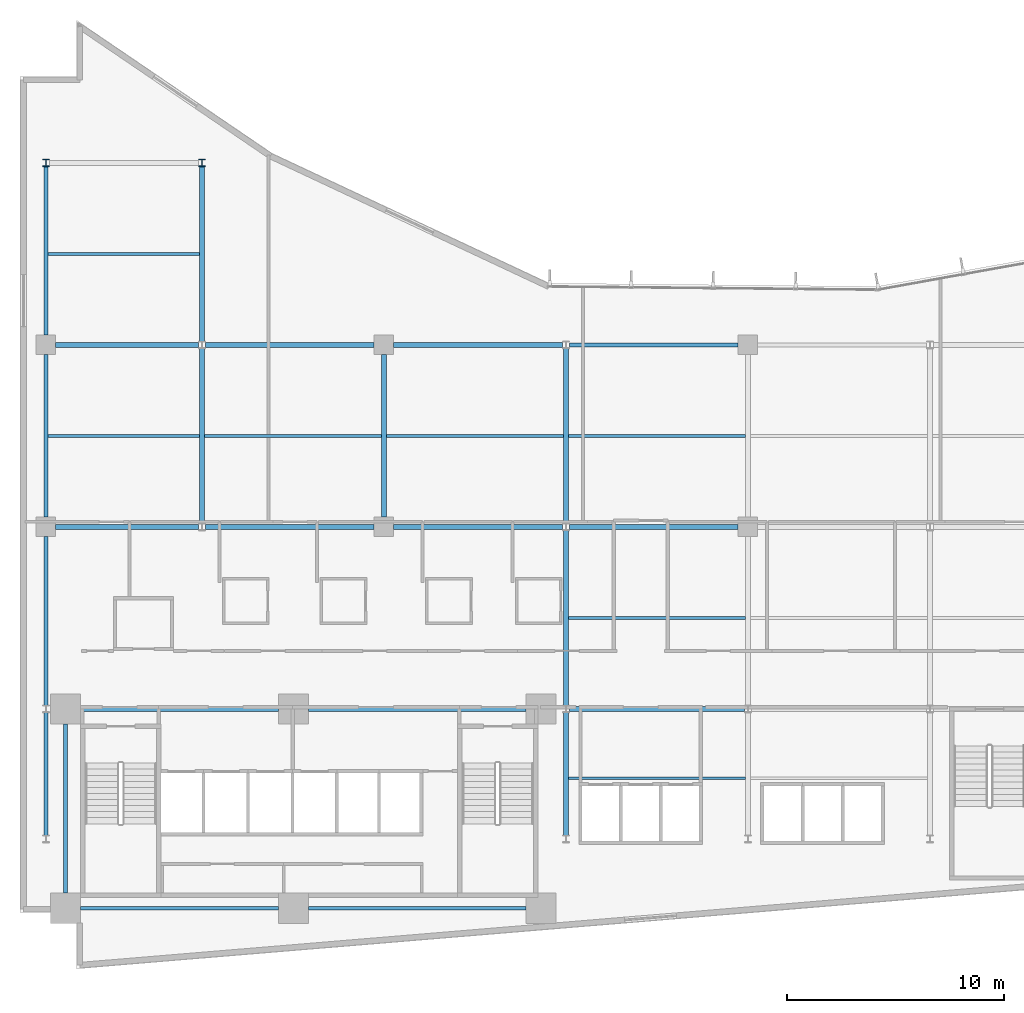
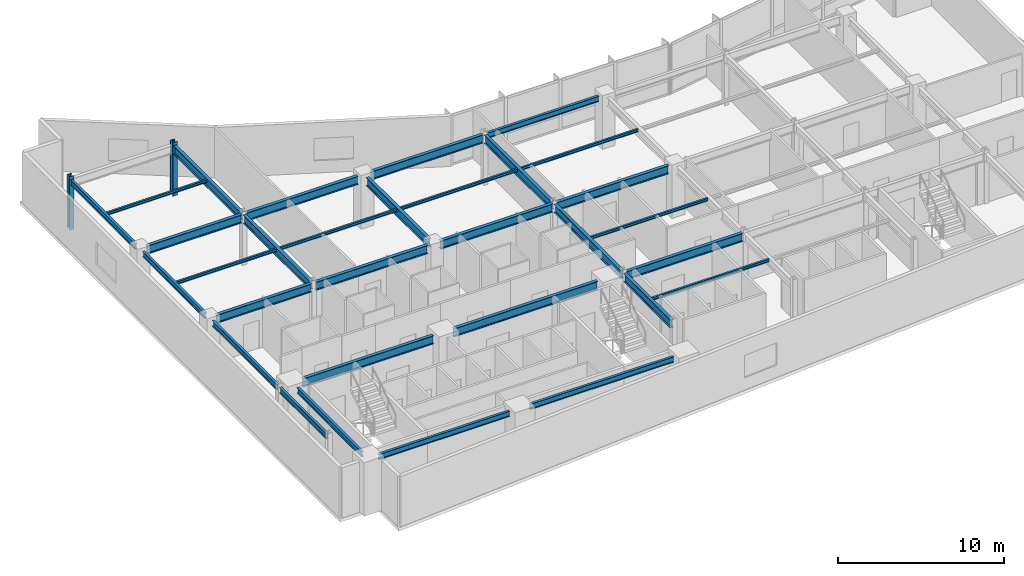
# One storey, part 3 of 18: 31 beams, 2 columns.
"""IFC4 building model written with IfcOpenShell, lengths in metres."""

from ifc_helpers import new_model, si_unit, direction, frame, origin, origin_2d, place, context, subcontext, project, spatial, i_section, extrude, material, material_profile, profile_set, type_object, element, save


model = new_model("IFC4")

# Units and contexts
model_context = context("Model", 3, precision=1e-05, world=origin(), true_north=direction((0.0, 1.0)))
body_context = subcontext(model_context, "Body", "Model", "MODEL_VIEW")
ifc_project = project(units=[si_unit("LENGTHUNIT", "METRE"), si_unit("AREAUNIT", "SQUARE_METRE"), si_unit("VOLUMEUNIT", "CUBIC_METRE"), si_unit("PLANEANGLEUNIT", "RADIAN"), si_unit("MASSUNIT", "GRAM", prefix="KILO")], contexts=[model_context])

# Site, building, storey
site_placement = place(None, origin())
site = spatial("IfcSite", under=ifc_project, at=site_placement, CompositionType="ELEMENT")
building_placement = place(site_placement, origin())
building = spatial("IfcBuilding", under=site, at=building_placement, Name="Varnakote Quay Hospital", CompositionType="ELEMENT")
storey_placement = place(building_placement, frame((0.0, 0.0, 73.85009765625)))
storey = spatial("IfcBuildingStorey", under=building, at=storey_placement, Name="L18", CompositionType="ELEMENT", Elevation=73.85009765625)

# Columns
ifc_material_1 = material(Name="Structural steel AS/NZS 3679.1 Grade 350 L0 (fy 340 MPa)", Category="steel")
ifc_material_profile_1 = material_profile(ifc_material_1, i_section(OverallWidth=0.31103515625, OverallDepth=0.326904296875, WebThickness=0.015625, FlangeThickness=0.02490234375, FilletRadius=0.0166015625, at=origin_2d()), Name="310UC158")
ifc_profile_set_1 = profile_set([ifc_material_profile_1], Name="Structural steel AS/NZS 3679.1 Grade 350 L0 (fy 340 MPa)")
column_type = type_object("IfcColumnType", Name="COL-STL-310UC158", PredefinedType="COLUMN", material=ifc_profile_set_1)
for number, where, z_axis, x_axis, name in (
    (1, (1.199951171875, 37.199951171875, 0.0), (0.0, 0.0, 1.0), (1.0, 0.0, 0.0), "L18 Structural Column C-1-37"),
    (2, (8.39990234375, 37.199951171875, 0.0), (0.0, 0.0, 1.0), (1.0, 0.0, 0.0), "L18 Structural Column C-8-37"),
):
    element("IfcColumn", number, at=place(storey_placement, frame(where, z_axis=z_axis, x_axis=x_axis)), inside=storey, type_object=column_type, Name=name, PredefinedType="COLUMN", context=body_context, shape_type="SweptSolid", body=[
        extrude(i_section(OverallWidth=0.31103515625, OverallDepth=0.326904296875, WebThickness=0.015625, FlangeThickness=0.02490234375, FilletRadius=0.0166015625, at=origin_2d()), origin(), (0.0, 0.0, 1.0), 3.949951171875),
    ])

# Beams
ifc_material_2 = material(Name="Structural steel AS/NZS 3679.1 Grade 350 L0 (fy 340 MPa)", Category="steel")
ifc_material_profile_2 = material_profile(ifc_material_2, i_section(OverallWidth=0.22900390625, OverallDepth=0.612060546875, WebThickness=0.011962890625, FlangeThickness=0.01953125, FilletRadius=0.013916015625, at=origin_2d()), Name="610UB125")
ifc_profile_set_2 = profile_set([ifc_material_profile_2], Name="Structural steel AS/NZS 3679.1 Grade 350 L0 (fy 340 MPa)")
beam_type_1 = type_object("IfcBeamType", Name="BM-STL-610UB125", PredefinedType="BEAM", material=ifc_profile_set_2)
beam_1_placement = place(storey_placement, frame((2.800048828125, 12.0, 3.40380859375), z_axis=(1.0, 0.0, 0.0), x_axis=(0.0, 1.0, 0.0)))
element("IfcBeam", 3, at=beam_1_placement, inside=storey, type_object=beam_type_1, Name="L18 Primary Floor Beam", PredefinedType="BEAM", context=body_context, shape_type="SweptSolid", body=[
    extrude(i_section(OverallWidth=0.22900390625, OverallDepth=0.612060546875, WebThickness=0.011962890625, FlangeThickness=0.01953125, FilletRadius=0.013916015625, at=origin_2d()), origin(), (0.0, 0.0, 1.0), 9.119873046875),
])
beam_2_placement = place(storey_placement, frame((13.320068359375, 12.0, 3.40380859375), z_axis=(1.0, 0.0, 0.0), x_axis=(0.0, 1.0, 0.0)))
element("IfcBeam", 4, at=beam_2_placement, inside=storey, type_object=beam_type_1, Name="L18 Primary Floor Beam", PredefinedType="BEAM", context=body_context, shape_type="SweptSolid", body=[
    extrude(i_section(OverallWidth=0.22900390625, OverallDepth=0.612060546875, WebThickness=0.011962890625, FlangeThickness=0.01953125, FilletRadius=0.013916015625, at=origin_2d()), origin(), (0.0, 0.0, 1.0), 10.030029296875),
])
beam_3_placement = place(storey_placement, frame((25.35546875, 12.0, 3.40380859375), z_axis=(1.0, 0.0, 0.0), x_axis=(0.0, 1.0, 0.0)))
element("IfcBeam", 5, at=beam_3_placement, inside=storey, type_object=beam_type_1, Name="L18 Primary Floor Beam", PredefinedType="BEAM", context=body_context, shape_type="SweptSolid", body=[
    extrude(i_section(OverallWidth=0.22900390625, OverallDepth=0.612060546875, WebThickness=0.011962890625, FlangeThickness=0.01953125, FilletRadius=0.013916015625, at=origin_2d()), origin(), (0.0, 0.0, 1.0), 8.089111328125),
])
beam_4_placement = place(storey_placement, frame((1.64990234375, 20.39990234375, 3.40380859375), z_axis=(1.0, 0.0, 0.0), x_axis=(0.0, 1.0, 0.0)))
element("IfcBeam", 6, at=beam_4_placement, inside=storey, type_object=beam_type_1, Name="L18 Primary Floor Beam", PredefinedType="BEAM", context=body_context, shape_type="SweptSolid", body=[
    extrude(i_section(OverallWidth=0.22900390625, OverallDepth=0.612060546875, WebThickness=0.011962890625, FlangeThickness=0.01953125, FilletRadius=0.013916015625, at=origin_2d()), origin(), (0.0, 0.0, 1.0), 6.594482421875),
])
beam_5_placement = place(storey_placement, frame((8.555419921875, 20.39990234375, 3.40380859375), z_axis=(1.0, 0.0, 0.0), x_axis=(0.0, 1.0, 0.0)))
element("IfcBeam", 7, at=beam_5_placement, inside=storey, type_object=beam_type_1, Name="L18 Primary Floor Beam", PredefinedType="BEAM", context=body_context, shape_type="SweptSolid", body=[
    extrude(i_section(OverallWidth=0.22900390625, OverallDepth=0.612060546875, WebThickness=0.011962890625, FlangeThickness=0.01953125, FilletRadius=0.013916015625, at=origin_2d()), origin(), (0.0, 0.0, 1.0), 7.794677734375),
])
for number, where, z_axis, x_axis, name in (
    (8, (17.25, 20.39990234375, 3.40380859375), (1.0, 0.0, 0.0), (0.0, 1.0, 0.0), "L18 Primary Floor Beam"),
    (9, (25.35546875, 20.39990234375, 3.40380859375), (1.0, 0.0, 0.0), (0.0, 1.0, 0.0), "L18 Primary Floor Beam"),
):
    element("IfcBeam", number, at=place(storey_placement, frame(where, z_axis=z_axis, x_axis=x_axis)), inside=storey, type_object=beam_type_1, Name=name, PredefinedType="BEAM", context=body_context, shape_type="SweptSolid", body=[
        extrude(i_section(OverallWidth=0.22900390625, OverallDepth=0.612060546875, WebThickness=0.011962890625, FlangeThickness=0.01953125, FilletRadius=0.013916015625, at=origin_2d()), origin(), (0.0, 0.0, 1.0), 7.79443359375),
    ])
beam_6_placement = place(storey_placement, frame((1.64990234375, 28.800048828125, 3.40380859375), z_axis=(1.0, 0.0, 0.0), x_axis=(0.0, 1.0, 0.0)))
element("IfcBeam", 10, at=beam_6_placement, inside=storey, type_object=beam_type_1, Name="L18 Primary Floor Beam", PredefinedType="BEAM", context=body_context, shape_type="SweptSolid", body=[
    extrude(i_section(OverallWidth=0.22900390625, OverallDepth=0.612060546875, WebThickness=0.011962890625, FlangeThickness=0.01953125, FilletRadius=0.013916015625, at=origin_2d()), origin(), (0.0, 0.0, 1.0), 6.594482421875),
])
beam_7_placement = place(storey_placement, frame((8.555419921875, 28.800048828125, 3.40380859375), z_axis=(1.0, 0.0, 0.0), x_axis=(0.0, 1.0, 0.0)))
element("IfcBeam", 11, at=beam_7_placement, inside=storey, type_object=beam_type_1, Name="L18 Primary Floor Beam", PredefinedType="BEAM", context=body_context, shape_type="SweptSolid", body=[
    extrude(i_section(OverallWidth=0.22900390625, OverallDepth=0.612060546875, WebThickness=0.011962890625, FlangeThickness=0.01953125, FilletRadius=0.013916015625, at=origin_2d()), origin(), (0.0, 0.0, 1.0), 7.794677734375),
])
beam_8_placement = place(storey_placement, frame((17.25, 28.800048828125, 3.40380859375), z_axis=(1.0, 0.0, 0.0), x_axis=(0.0, 1.0, 0.0)))
element("IfcBeam", 12, at=beam_8_placement, inside=storey, type_object=beam_type_1, Name="L18 Primary Floor Beam", PredefinedType="BEAM", context=body_context, shape_type="SweptSolid", body=[
    extrude(i_section(OverallWidth=0.22900390625, OverallDepth=0.612060546875, WebThickness=0.011962890625, FlangeThickness=0.01953125, FilletRadius=0.013916015625, at=origin_2d()), origin(), (0.0, 0.0, 1.0), 7.79443359375),
])
beam_9_placement = place(storey_placement, frame((8.39990234375, 20.5634765625, 3.40380859375), z_axis=(0.0, 1.0, 0.0), x_axis=(-1.0, 0.0, 0.0)))
element("IfcBeam", 13, at=beam_9_placement, inside=storey, type_object=beam_type_1, Name="L18 Primary Tie Beam", PredefinedType="BEAM", context=body_context, shape_type="SweptSolid", body=[
    extrude(i_section(OverallWidth=0.22900390625, OverallDepth=0.612060546875, WebThickness=0.011962890625, FlangeThickness=0.01953125, FilletRadius=0.013916015625, at=origin_2d()), origin(), (0.0, 0.0, 1.0), 8.072998046875),
])
beam_10_placement = place(storey_placement, frame((8.39990234375, 28.96337890625, 3.40380859375), z_axis=(0.0, 1.0, 0.0), x_axis=(-1.0, 0.0, 0.0)))
element("IfcBeam", 14, at=beam_10_placement, inside=storey, type_object=beam_type_1, Name="L18 Primary Tie Beam", PredefinedType="BEAM", context=body_context, shape_type="SweptSolid", body=[
    extrude(i_section(OverallWidth=0.22900390625, OverallDepth=0.612060546875, WebThickness=0.011962890625, FlangeThickness=0.01953125, FilletRadius=0.013916015625, at=origin_2d()), origin(), (0.0, 0.0, 1.0), 8.0732421875),
])
beam_11_placement = place(storey_placement, frame((16.800048828125, 20.85009765625, 3.40380859375), z_axis=(0.0, 1.0, 0.0), x_axis=(-1.0, 0.0, 0.0)))
element("IfcBeam", 15, at=beam_11_placement, inside=storey, type_object=beam_type_1, Name="L18 Primary Tie Beam", PredefinedType="BEAM", context=body_context, shape_type="SweptSolid", body=[
    extrude(i_section(OverallWidth=0.22900390625, OverallDepth=0.612060546875, WebThickness=0.011962890625, FlangeThickness=0.01953125, FilletRadius=0.013916015625, at=origin_2d()), origin(), (0.0, 0.0, 1.0), 7.5),
])
beam_12_placement = place(storey_placement, frame((25.199951171875, 6.16357421875, 3.40380859375), z_axis=(0.0, 1.0, 0.0), x_axis=(-1.0, 0.0, 0.0)))
element("IfcBeam", 16, at=beam_12_placement, inside=storey, type_object=beam_type_1, Name="L18 Primary Tie Beam", PredefinedType="BEAM", context=body_context, shape_type="SweptSolid", body=[
    extrude(i_section(OverallWidth=0.22900390625, OverallDepth=0.612060546875, WebThickness=0.011962890625, FlangeThickness=0.01953125, FilletRadius=0.013916015625, at=origin_2d()), origin(), (0.0, 0.0, 1.0), 5.6728515625),
])
for number, where, z_axis, x_axis, name in (
    (17, (25.199951171875, 12.16357421875, 3.40380859375), (0.0, 1.0, 0.0), (-1.0, 0.0, 0.0), "L18 Primary Tie Beam"),
    (18, (25.199951171875, 20.5634765625, 3.40380859375), (0.0, 1.0, 0.0), (-1.0, 0.0, 0.0), "L18 Primary Tie Beam"),
):
    element("IfcBeam", number, at=place(storey_placement, frame(where, z_axis=z_axis, x_axis=x_axis)), inside=storey, type_object=beam_type_1, Name=name, PredefinedType="BEAM", context=body_context, shape_type="SweptSolid", body=[
        extrude(i_section(OverallWidth=0.22900390625, OverallDepth=0.612060546875, WebThickness=0.011962890625, FlangeThickness=0.01953125, FilletRadius=0.013916015625, at=origin_2d()), origin(), (0.0, 0.0, 1.0), 8.072998046875),
    ])
ifc_material_3 = material(Name="Structural steel AS/NZS 3679.1 Grade 350 L0 (fy 340 MPa)", Category="steel")
ifc_material_profile_3 = material_profile(ifc_material_3, i_section(OverallWidth=0.134033203125, OverallDepth=0.20703125, WebThickness=0.00634765625, FlangeThickness=0.009521484375, FilletRadius=0.0087890625, at=origin_2d()), Name="200UB29.8")
ifc_profile_set_3 = profile_set([ifc_material_profile_3], Name="Structural steel AS/NZS 3679.1 Grade 350 L0 (fy 340 MPa)")
beam_type_2 = type_object("IfcBeamType", Name="JST-STL-200UB29-8", PredefinedType="JOIST", material=ifc_profile_set_3)
for number, where, z_axis, x_axis, name in (
    (19, (25.314453125, 8.800048828125, 3.6064453125), (1.0, 0.0, 0.0), (0.0, 1.0, 0.0), "L18 Composite Floor Joist"),
    (20, (25.314453125, 16.199951171875, 3.6064453125), (1.0, 0.0, 0.0), (0.0, 1.0, 0.0), "L18 Composite Floor Joist"),
):
    element("IfcBeam", number, at=place(storey_placement, frame(where, z_axis=z_axis, x_axis=x_axis)), inside=storey, type_object=beam_type_2, Name=name, PredefinedType="JOIST", context=body_context, shape_type="SweptSolid", body=[
        extrude(i_section(OverallWidth=0.134033203125, OverallDepth=0.20703125, WebThickness=0.00634765625, FlangeThickness=0.009521484375, FilletRadius=0.0087890625, at=origin_2d()), origin(), (0.0, 0.0, 1.0), 8.171142578125),
    ])
beam_13_placement = place(storey_placement, frame((1.2890625, 24.60009765625, 3.6064453125), z_axis=(1.0, 0.0, 0.0), x_axis=(0.0, 1.0, 0.0)))
element("IfcBeam", 21, at=beam_13_placement, inside=storey, type_object=beam_type_2, Name="L18 Composite Floor Joist", PredefinedType="JOIST", context=body_context, shape_type="SweptSolid", body=[
    extrude(i_section(OverallWidth=0.134033203125, OverallDepth=0.20703125, WebThickness=0.00634765625, FlangeThickness=0.009521484375, FilletRadius=0.0087890625, at=origin_2d()), origin(), (0.0, 0.0, 1.0), 6.996337890625),
])
beam_14_placement = place(storey_placement, frame((8.514404296875, 24.60009765625, 3.6064453125), z_axis=(1.0, 0.0, 0.0), x_axis=(0.0, 1.0, 0.0)))
element("IfcBeam", 22, at=beam_14_placement, inside=storey, type_object=beam_type_2, Name="L18 Composite Floor Joist", PredefinedType="JOIST", context=body_context, shape_type="SweptSolid", body=[
    extrude(i_section(OverallWidth=0.134033203125, OverallDepth=0.20703125, WebThickness=0.00634765625, FlangeThickness=0.009521484375, FilletRadius=0.0087890625, at=origin_2d()), origin(), (0.0, 0.0, 1.0), 8.171142578125),
])
beam_15_placement = place(storey_placement, frame((16.91455078125, 24.60009765625, 3.6064453125), z_axis=(1.0, 0.0, 0.0), x_axis=(0.0, 1.0, 0.0)))
element("IfcBeam", 23, at=beam_15_placement, inside=storey, type_object=beam_type_2, Name="L18 Composite Floor Joist", PredefinedType="JOIST", context=body_context, shape_type="SweptSolid", body=[
    extrude(i_section(OverallWidth=0.134033203125, OverallDepth=0.20703125, WebThickness=0.00634765625, FlangeThickness=0.009521484375, FilletRadius=0.0087890625, at=origin_2d()), origin(), (0.0, 0.0, 1.0), 8.1708984375),
])
beam_16_placement = place(storey_placement, frame((25.314453125, 24.60009765625, 3.6064453125), z_axis=(1.0, 0.0, 0.0), x_axis=(0.0, 1.0, 0.0)))
element("IfcBeam", 24, at=beam_16_placement, inside=storey, type_object=beam_type_2, Name="L18 Composite Floor Joist", PredefinedType="JOIST", context=body_context, shape_type="SweptSolid", body=[
    extrude(i_section(OverallWidth=0.134033203125, OverallDepth=0.20703125, WebThickness=0.00634765625, FlangeThickness=0.009521484375, FilletRadius=0.0087890625, at=origin_2d()), origin(), (0.0, 0.0, 1.0), 8.171142578125),
])
beam_17_placement = place(storey_placement, frame((1.2890625, 33.0, 3.6064453125), z_axis=(1.0, 0.0, 0.0), x_axis=(0.0, 1.0, 0.0)))
element("IfcBeam", 25, at=beam_17_placement, inside=storey, type_object=beam_type_2, Name="L18 Composite Floor Joist", PredefinedType="JOIST", context=body_context, shape_type="SweptSolid", body=[
    extrude(i_section(OverallWidth=0.134033203125, OverallDepth=0.20703125, WebThickness=0.00634765625, FlangeThickness=0.009521484375, FilletRadius=0.0087890625, at=origin_2d()), origin(), (0.0, 0.0, 1.0), 6.996337890625),
])
ifc_material_4 = material(Name="Structural steel AS/NZS 3679.1 Grade 350 L0 (fy 340 MPa)", Category="steel")
ifc_material_profile_4 = material_profile(ifc_material_4, i_section(OverallWidth=0.177978515625, OverallDepth=0.403076171875, WebThickness=0.007568359375, FlangeThickness=0.010986328125, FilletRadius=0.011474609375, at=origin_2d()), Name="410UB53.7")
ifc_profile_set_4 = profile_set([ifc_material_profile_4], Name="Structural steel AS/NZS 3679.1 Grade 350 L0 (fy 340 MPa)")
beam_type_3 = type_object("IfcBeamType", Name="SPN-STL-410UB53-7", PredefinedType="SPANDREL", material=ifc_profile_set_4)
beam_18_placement = place(storey_placement, frame((1.199951171875, 6.16357421875, 3.50830078125), z_axis=(0.0, 1.0, 0.0), x_axis=(-1.0, 0.0, 0.0)))
element("IfcBeam", 26, at=beam_18_placement, inside=storey, type_object=beam_type_3, Name="L18 Perimeter Spandrel Beam", PredefinedType="SPANDREL", context=body_context, shape_type="SweptSolid", body=[
    extrude(i_section(OverallWidth=0.177978515625, OverallDepth=0.403076171875, WebThickness=0.007568359375, FlangeThickness=0.010986328125, FilletRadius=0.011474609375, at=origin_2d()), origin(), (0.0, 0.0, 1.0), 5.6728515625),
])
beam_19_placement = place(storey_placement, frame((1.199951171875, 12.16357421875, 3.50830078125), z_axis=(0.0, 1.0, 0.0), x_axis=(-1.0, 0.0, 0.0)))
element("IfcBeam", 27, at=beam_19_placement, inside=storey, type_object=beam_type_3, Name="L18 Perimeter Spandrel Beam", PredefinedType="SPANDREL", context=body_context, shape_type="SweptSolid", body=[
    extrude(i_section(OverallWidth=0.177978515625, OverallDepth=0.403076171875, WebThickness=0.007568359375, FlangeThickness=0.010986328125, FilletRadius=0.011474609375, at=origin_2d()), origin(), (0.0, 0.0, 1.0), 7.786376953125),
])
beam_20_placement = place(storey_placement, frame((1.199951171875, 20.85009765625, 3.50830078125), z_axis=(0.0, 1.0, 0.0), x_axis=(-1.0, 0.0, 0.0)))
element("IfcBeam", 28, at=beam_20_placement, inside=storey, type_object=beam_type_3, Name="L18 Perimeter Spandrel Beam", PredefinedType="SPANDREL", context=body_context, shape_type="SweptSolid", body=[
    extrude(i_section(OverallWidth=0.177978515625, OverallDepth=0.403076171875, WebThickness=0.007568359375, FlangeThickness=0.010986328125, FilletRadius=0.011474609375, at=origin_2d()), origin(), (0.0, 0.0, 1.0), 7.5),
])
beam_21_placement = place(storey_placement, frame((1.199951171875, 29.25, 3.50830078125), z_axis=(0.0, 1.0, 0.0), x_axis=(-1.0, 0.0, 0.0)))
element("IfcBeam", 29, at=beam_21_placement, inside=storey, type_object=beam_type_3, Name="L18 Perimeter Spandrel Beam", PredefinedType="SPANDREL", context=body_context, shape_type="SweptSolid", body=[
    extrude(i_section(OverallWidth=0.177978515625, OverallDepth=0.403076171875, WebThickness=0.007568359375, FlangeThickness=0.010986328125, FilletRadius=0.011474609375, at=origin_2d()), origin(), (0.0, 0.0, 1.0), 7.78662109375),
])
beam_22_placement = place(storey_placement, frame((2.10009765625, 3.5, 3.50830078125), z_axis=(0.0, 1.0, 0.0), x_axis=(-1.0, 0.0, 0.0)))
element("IfcBeam", 30, at=beam_22_placement, inside=storey, type_object=beam_type_3, Name="L18 Perimeter Spandrel Beam", PredefinedType="SPANDREL", context=body_context, shape_type="SweptSolid", body=[
    extrude(i_section(OverallWidth=0.177978515625, OverallDepth=0.403076171875, WebThickness=0.007568359375, FlangeThickness=0.010986328125, FilletRadius=0.011474609375, at=origin_2d()), origin(), (0.0, 0.0, 1.0), 7.800048828125),
])
ifc_material_5 = material(Name="Structural steel AS/NZS 3679.1 Grade 350 L0 (fy 340 MPa)", Category="steel")
ifc_material_profile_5 = material_profile(ifc_material_5, i_section(OverallWidth=0.177978515625, OverallDepth=0.406005859375, WebThickness=0.0078125, FlangeThickness=0.0126953125, FilletRadius=0.011474609375, at=origin_2d()), Name="410UB59.7")
ifc_profile_set_5 = profile_set([ifc_material_profile_5], Name="Structural steel AS/NZS 3679.1 Grade 350 L0 (fy 340 MPa)")
beam_type_4 = type_object("IfcBeamType", Name="SPN-STL-410UB59-7", PredefinedType="SPANDREL", material=ifc_profile_set_5)
beam_23_placement = place(storey_placement, frame((2.800048828125, 2.800048828125, 3.5068359375), z_axis=(1.0, 0.0, 0.0), x_axis=(0.0, 1.0, 0.0)))
element("IfcBeam", 31, at=beam_23_placement, inside=storey, type_object=beam_type_4, Name="L18 Perimeter Spandrel Beam", PredefinedType="SPANDREL", context=body_context, shape_type="SweptSolid", body=[
    extrude(i_section(OverallWidth=0.177978515625, OverallDepth=0.406005859375, WebThickness=0.0078125, FlangeThickness=0.0126953125, FilletRadius=0.011474609375, at=origin_2d()), origin(), (0.0, 0.0, 1.0), 9.119873046875),
])
beam_24_placement = place(storey_placement, frame((13.320068359375, 2.800048828125, 3.5068359375), z_axis=(1.0, 0.0, 0.0), x_axis=(0.0, 1.0, 0.0)))
element("IfcBeam", 32, at=beam_24_placement, inside=storey, type_object=beam_type_4, Name="L18 Perimeter Spandrel Beam", PredefinedType="SPANDREL", context=body_context, shape_type="SweptSolid", body=[
    extrude(i_section(OverallWidth=0.177978515625, OverallDepth=0.406005859375, WebThickness=0.0078125, FlangeThickness=0.0126953125, FilletRadius=0.011474609375, at=origin_2d()), origin(), (0.0, 0.0, 1.0), 10.030029296875),
])
beam_25_placement = place(storey_placement, frame((25.35546875, 28.800048828125, 3.5068359375), z_axis=(1.0, 0.0, 0.0), x_axis=(0.0, 1.0, 0.0)))
element("IfcBeam", 33, at=beam_25_placement, inside=storey, type_object=beam_type_4, Name="L18 Perimeter Spandrel Beam", PredefinedType="SPANDREL", context=body_context, shape_type="SweptSolid", body=[
    extrude(i_section(OverallWidth=0.177978515625, OverallDepth=0.406005859375, WebThickness=0.0078125, FlangeThickness=0.0126953125, FilletRadius=0.011474609375, at=origin_2d()), origin(), (0.0, 0.0, 1.0), 7.79443359375),
])

save(model, "model.ifc")
